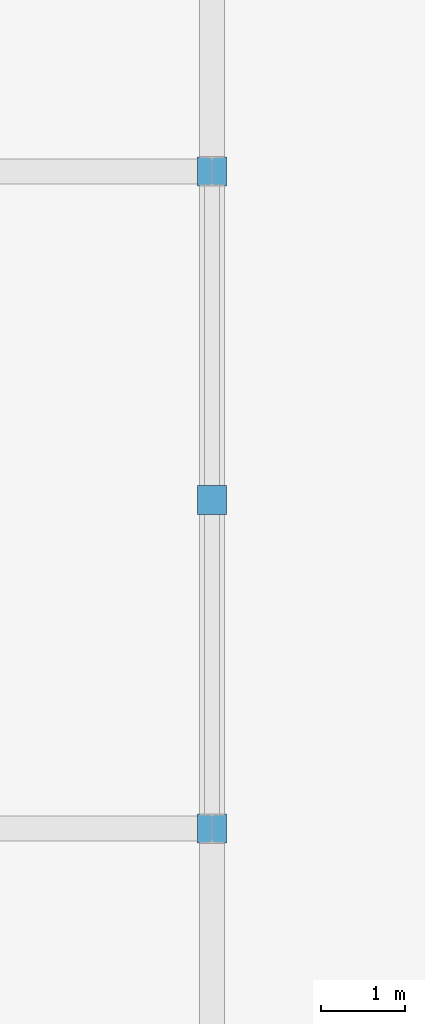
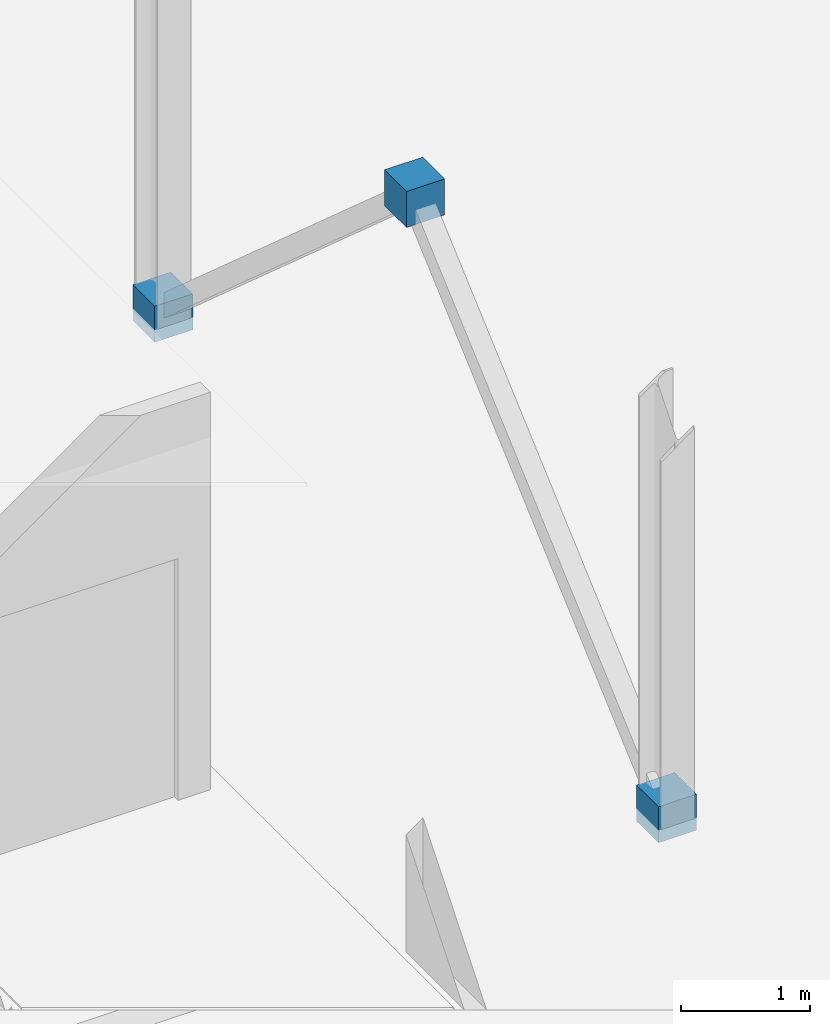
# One storey, part 66 of 77: 3 discrete accessories.
"""IFC4 building model written with IfcOpenShell, lengths in metres."""

from ifc_helpers import new_model, si_unit, direction, frame, origin, origin_2d, place, context, subcontext, project, spatial, rectangle, extrude, material, layer, layer_set, type_object, element, save


model = new_model("IFC4")

# Units and contexts
model_context = context("Model", 3, precision=1e-05, world=origin(), true_north=direction((0.0, 1.0)))
body_context = subcontext(model_context, "Body", "Model", "MODEL_VIEW")
ifc_project = project(units=[si_unit("LENGTHUNIT", "METRE"), si_unit("AREAUNIT", "SQUARE_METRE"), si_unit("VOLUMEUNIT", "CUBIC_METRE"), si_unit("PLANEANGLEUNIT", "RADIAN"), si_unit("MASSUNIT", "GRAM", prefix="KILO")], contexts=[model_context])

# Site, building, storey
site_placement = place(None, origin())
site = spatial("IfcSite", under=ifc_project, at=site_placement, CompositionType="ELEMENT")
building_placement = place(site_placement, origin())
building = spatial("IfcBuilding", under=site, at=building_placement, Name="Nabrawat Pavilion Hospital", CompositionType="ELEMENT")
storey_placement = place(building_placement, frame((0.0, 0.0, 14.85009765625)))
storey = spatial("IfcBuildingStorey", under=building, at=storey_placement, Name="L03", CompositionType="ELEMENT", Elevation=14.85009765625)

# Discrete accessories
ifc_material = material(Name="Steel S355", Category="steel")
ifc_layer = layer(ifc_material, 0.02001953125, Name="Steel S355")
ifc_layer_set = layer_set([ifc_layer], Name="Steel S355")
discrete_accessory_type = type_object("IfcDiscreteAccessoryType", Name="Brace and Strut Gusset End Bracket 20", PredefinedType="BRACKET", material=ifc_layer_set)
for number, where, z_axis, x_axis, name in (
    (1, (33.60009765625, 74.10009765625, 3.330078125), (0.0, 0.0, 1.0), (1.0, 0.0, 0.0), "L03 Brace and Strut Gusset End Connection 0045"),
    (2, (33.60009765625, 70.199951171875, -0.1201171875), (0.0, 0.0, 1.0), (1.0, 0.0, 0.0), "L03 Brace and Strut Gusset End Connection 0046"),
    (3, (33.60009765625, 78.0, -0.1201171875), (0.0, 0.0, 1.0), (1.0, 0.0, 0.0), "L03 Brace and Strut Gusset End Connection 0047"),
):
    element("IfcDiscreteAccessory", number, at=place(storey_placement, frame(where, z_axis=z_axis, x_axis=x_axis)), inside=storey, type_object=discrete_accessory_type, Name=name, PredefinedType="BRACKET", context=body_context, shape_type="SweptSolid", body=[
        extrude(rectangle(XDim=0.340087890625, YDim=0.340087890625, at=origin_2d()), origin(), (0.0, 0.0, 1.0), 0.340087890625),
    ])

save(model, "model.ifc")
